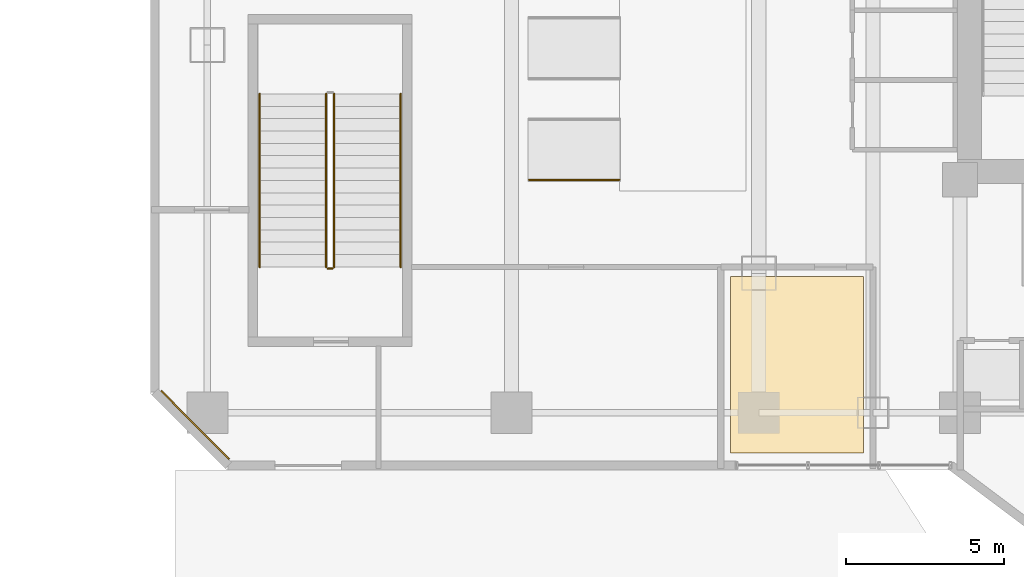
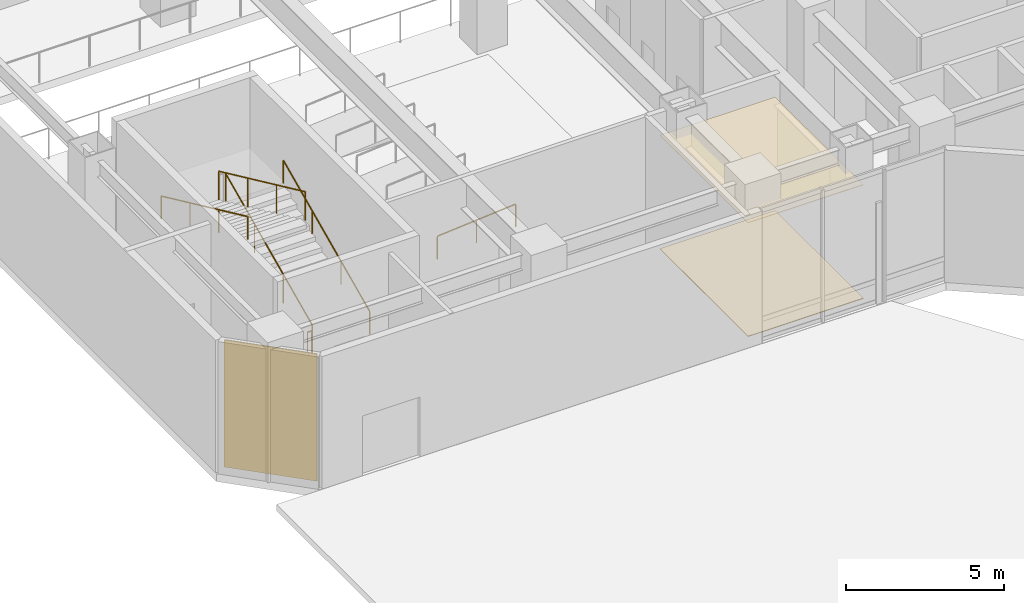
# One storey, part 8 of 13: 6 railings, 3 coverings.
"""IFC4 building model written with IfcOpenShell, lengths in metres."""

from ifc_helpers import new_model, si_unit, direction, frame, origin, origin_2d, place, context, subcontext, project, spatial, polyline, rectangle, circle, outline, extrude, material, layer, layer_set, type_object, element, save


model = new_model("IFC4")

# Units and contexts
model_context = context("Model", 3, precision=1e-05, world=origin(), true_north=direction((0.0, 1.0)))
body_context = subcontext(model_context, "Body", "Model", "MODEL_VIEW")
ifc_project = project(units=[si_unit("LENGTHUNIT", "METRE"), si_unit("AREAUNIT", "SQUARE_METRE"), si_unit("VOLUMEUNIT", "CUBIC_METRE"), si_unit("PLANEANGLEUNIT", "RADIAN"), si_unit("MASSUNIT", "GRAM", prefix="KILO")], contexts=[model_context])

# Site, building, storey
site_placement = place(None, origin())
site = spatial("IfcSite", under=ifc_project, at=site_placement, CompositionType="ELEMENT")
building_placement = place(site_placement, origin())
building = spatial("IfcBuilding", under=site, at=building_placement, Name="Hatsunagi Terrace Concourse", CompositionType="ELEMENT")
storey_placement = place(building_placement, origin())
storey = spatial("IfcBuildingStorey", under=building, at=storey_placement, Name="L01", CompositionType="ELEMENT", Elevation=0.0)

# Coverings
ifc_material_1 = material(Name="Acoustic mineral board", Category="gypsum")
ifc_layer_1 = layer(ifc_material_1, 0.02001953125)
ifc_layer_set_1 = layer_set([ifc_layer_1], Name="AcousticMineralCeiling_20")
covering_type_1 = type_object("IfcCoveringType", Name="AcousticMineralCeiling_20", PredefinedType="CEILING", material=ifc_layer_set_1)
covering_1_placement = place(storey_placement, frame((0.0, 0.0, 4.3798828125)))
element("IfcCovering", 1, at=covering_1_placement, inside=storey, type_object=covering_type_1, Name="Suspended Ceiling L01-1", PredefinedType="CEILING", context=body_context, shape_type="SweptSolid", body=[
    extrude(outline(polyline([(18.300048828125, 23.929931640625), (22.5, 23.929931640625), (22.5, 29.5), (18.300048828125, 29.5), (18.300048828125, 23.929931640625)])), origin(), (0.0, 0.0, 1.0), 0.02001953125),
])
ifc_material_2 = material(Name="Granite stone paving", Category="masonry")
ifc_layer_2 = layer(ifc_material_2, 0.02490234375)
ifc_layer_set_2 = layer_set([ifc_layer_2], Name="GraniteStoneFlooring_25")
covering_type_2 = type_object("IfcCoveringType", Name="GraniteStoneFlooring_25", PredefinedType="FLOORING", material=ifc_layer_set_2)
covering_2_placement = place(storey_placement, origin())
element("IfcCovering", 2, at=covering_2_placement, inside=storey, type_object=covering_type_2, Name="Finished Flooring L01-1", PredefinedType="FLOORING", context=body_context, shape_type="SweptSolid", body=[
    extrude(outline(polyline([(18.300048828125, 23.929931640625), (22.5, 23.929931640625), (22.5, 29.5), (18.300048828125, 29.5), (18.300048828125, 23.929931640625)])), origin(), (0.0, 0.0, 1.0), 0.02490234375),
])

# Railings
ifc_material_3 = material(Name="Brushed Stainless Steel Handrail", Category="steel")
ifc_layer_3 = layer(ifc_material_3, 0.050048828125)
ifc_layer_set_3 = layer_set([ifc_layer_3], Name="RampAccessibleHandrail_900")
railing_type_1 = type_object("IfcRailingType", Name="RampAccessibleHandrail_900", PredefinedType="HANDRAIL", material=ifc_layer_set_3)
railing_1_placement = place(storey_placement, frame((11.949951171875, 32.550048828125, 0.0)))
element("IfcRailing", 3, at=railing_1_placement, inside=storey, type_object=railing_type_1, Name="Concourse Accessible Ramp Handrail HR-02 #1", PredefinedType="HANDRAIL", context=body_context, shape_type="SweptSolid", body=[
    extrude(circle(Radius=0.02392578125, at=origin_2d()), frame((0.0, 0.0, 0.8759765625), z_axis=(0.996473566823, 0.0, 0.083907273958), x_axis=(0.0, 1.0, 0.0)), (0.0, 0.0, 1.0), 2.860107421875),
    extrude(circle(Radius=0.02099609375, at=origin_2d()), origin(), (0.0, 0.0, 1.0), 0.851806640625),
    extrude(circle(Radius=0.02099609375, at=origin_2d()), frame((1.425048828125, 0.0, 0.1201171875)), (0.0, 0.0, 1.0), 0.851806640625),
    extrude(circle(Radius=0.02099609375, at=origin_2d()), frame((2.85009765625, 0.0, 0.239990234375)), (0.0, 0.0, 1.0), 0.851806640625),
])
ifc_material_4 = material(Name="Stainless steel", Category="steel")
ifc_layer_4 = layer(ifc_material_4, 0.050048828125)
ifc_layer_set_4 = layer_set([ifc_layer_4], Name="StairPitchHandrail_Podium2200")
railing_type_2 = type_object("IfcRailingType", Name="StairPitchHandrail_Podium2200", PredefinedType="HANDRAIL", material=ifc_layer_set_4)
railing_2_placement = place(storey_placement, frame((7.89990234375, 29.800048828125, 0.179931640625)))
element("IfcRailing", 4, at=railing_2_placement, inside=storey, type_object=railing_type_2, Name="L01 ST-P1 stair handrail 1", PredefinedType="HANDRAIL", context=body_context, shape_type="SweptSolid", body=[
    extrude(circle(Radius=0.02392578125, at=origin_2d()), frame((0.0, 0.0, 0.8759765625), z_axis=(0.0, 0.907957007956, 0.419063326602), x_axis=(-1.0, 0.0, 0.0)), (0.0, 0.0, 1.0), 6.013427734375),
    extrude(circle(Radius=0.02099609375, at=origin_2d()), origin(), (0.0, 0.0, 1.0), 0.851806640625),
    extrude(circle(Radius=0.02099609375, at=origin_2d()), frame((0.0, 1.820068359375, 0.840087890625)), (0.0, 0.0, 1.0), 0.851806640625),
    extrude(circle(Radius=0.02099609375, at=origin_2d()), frame((0.0, 3.639892578125, 1.679931640625)), (0.0, 0.0, 1.0), 0.851806640625),
    extrude(circle(Radius=0.02099609375, at=origin_2d()), frame((0.0, 5.4599609375, 2.52001953125)), (0.0, 0.0, 1.0), 0.851806640625),
])
railing_3_placement = place(storey_placement, frame((3.449951171875, 35.260009765625, 2.8798828125)))
element("IfcRailing", 5, at=railing_3_placement, inside=storey, type_object=railing_type_2, Name="L01 ST-P1 stair handrail 2", PredefinedType="HANDRAIL", context=body_context, shape_type="SweptSolid", body=[
    extrude(circle(Radius=0.02392578125, at=origin_2d()), frame((0.0, 0.0, 0.8759765625), z_axis=(0.0, -0.907957007956, 0.419063326602), x_axis=(1.0, 0.0, 0.0)), (0.0, 0.0, 1.0), 6.013427734375),
    extrude(circle(Radius=0.02099609375, at=origin_2d()), origin(), (0.0, 0.0, 1.0), 0.851806640625),
    extrude(circle(Radius=0.02099609375, at=origin_2d()), frame((0.0, -1.820068359375, 0.840087890625)), (0.0, 0.0, 1.0), 0.851806640625),
    extrude(circle(Radius=0.02099609375, at=origin_2d()), frame((0.0, -3.639892578125, 1.679931640625)), (0.0, 0.0, 1.0), 0.851806640625),
    extrude(circle(Radius=0.02099609375, at=origin_2d()), frame((0.0, -5.4599609375, 2.52001953125)), (0.0, 0.0, 1.0), 0.851806640625),
])
ifc_material_5 = material(Name="Stainless steel", Category="steel")
ifc_layer_5 = layer(ifc_material_5, 0.06494140625)
ifc_layer_set_5 = layer_set([ifc_layer_5], Name="StairWellGuard_Podium2200")
railing_type_3 = type_object("IfcRailingType", Name="StairWellGuard_Podium2200", PredefinedType="BALUSTRADE", material=ifc_layer_set_5)
railing_4_placement = place(storey_placement, frame((5.800048828125, 29.800048828125, 0.179931640625)))
element("IfcRailing", 6, at=railing_4_placement, inside=storey, type_object=railing_type_3, Name="L01 ST-P1 stair guard 1", PredefinedType="BALUSTRADE", context=body_context, shape_type="SweptSolid", body=[
    extrude(circle(Radius=0.02392578125, at=origin_2d()), frame((0.0, 0.0, 1.09619140625), z_axis=(0.0, 0.907957007956, 0.419063326602), x_axis=(-1.0, 0.0, 0.0)), (0.0, 0.0, 1.0), 6.013427734375),
    extrude(circle(Radius=0.02099609375, at=origin_2d()), origin(), (0.0, 0.0, 1.0), 1.072021484375),
    extrude(circle(Radius=0.02099609375, at=origin_2d()), frame((0.0, 1.820068359375, 0.840087890625)), (0.0, 0.0, 1.0), 1.072021484375),
    extrude(circle(Radius=0.02099609375, at=origin_2d()), frame((0.0, 3.639892578125, 1.679931640625)), (0.0, 0.0, 1.0), 1.072021484375),
    extrude(circle(Radius=0.02099609375, at=origin_2d()), frame((0.0, 5.4599609375, 2.52001953125)), (0.0, 0.0, 1.0), 1.072021484375),
])
railing_5_placement = place(storey_placement, frame((5.550048828125, 35.260009765625, 2.8798828125)))
element("IfcRailing", 7, at=railing_5_placement, inside=storey, type_object=railing_type_3, Name="L01 ST-P1 stair guard 3", PredefinedType="BALUSTRADE", context=body_context, shape_type="SweptSolid", body=[
    extrude(circle(Radius=0.02392578125, at=origin_2d()), frame((0.0, 0.0, 1.09619140625), z_axis=(0.0, -0.907957007956, 0.419063326602), x_axis=(1.0, 0.0, 0.0)), (0.0, 0.0, 1.0), 6.013427734375),
    extrude(circle(Radius=0.02099609375, at=origin_2d()), origin(), (0.0, 0.0, 1.0), 1.072021484375),
    extrude(circle(Radius=0.02099609375, at=origin_2d()), frame((0.0, -1.820068359375, 0.840087890625)), (0.0, 0.0, 1.0), 1.072021484375),
    extrude(circle(Radius=0.02099609375, at=origin_2d()), frame((0.0, -3.639892578125, 1.679931640625)), (0.0, 0.0, 1.0), 1.072021484375),
    extrude(circle(Radius=0.02099609375, at=origin_2d()), frame((0.0, -5.4599609375, 2.52001953125)), (0.0, 0.0, 1.0), 1.072021484375),
])
railing_6_placement = place(storey_placement, frame((5.75, 29.75, 0.0)))
element("IfcRailing", 8, at=railing_6_placement, inside=storey, type_object=railing_type_3, Name="L01 ST-P1 stair guard 4", PredefinedType="BALUSTRADE", context=body_context, shape_type="SweptSolid", body=[
    extrude(circle(Radius=0.02392578125, at=origin_2d()), frame((0.0, 0.0, 1.09619140625), z_axis=(-1.0, 0.0, 0.0), x_axis=(0.0, -1.0, 0.0)), (0.0, 0.0, 1.0), 0.14990234375),
    extrude(circle(Radius=0.02099609375, at=origin_2d()), origin(), (0.0, 0.0, 1.0), 1.072021484375),
    extrude(circle(Radius=0.02099609375, at=origin_2d()), frame((-0.14990234375, 0.0, 0.0)), (0.0, 0.0, 1.0), 1.072021484375),
])

# Covering
ifc_material_6 = material(Name="Unglazed Warm Terracotta Rainscreen Tile", Category="masonry")
ifc_layer_6 = layer(ifc_material_6, 0.044921875)
ifc_layer_set_6 = layer_set([ifc_layer_6], Name="TerracottaRainscreenCladding_45")
covering_type_3 = type_object("IfcCoveringType", Name="TerracottaRainscreenCladding_45", PredefinedType="CLADDING", material=ifc_layer_set_6)
covering_3_placement = place(storey_placement, frame((1.4140625, 24.81396484375, 0.10009765625), z_axis=(0.0, 0.0, 1.0), x_axis=(-0.707106781187, 0.707106781187, 0.0)))
element("IfcCovering", 9, at=covering_3_placement, inside=storey, type_object=covering_type_3, Name="Terracotta Rainscreen Cladding L01-08", PredefinedType="CLADDING", context=body_context, shape_type="SweptSolid", body=[
    extrude(rectangle(XDim=3.0380859375, YDim=0.044921875, at=origin_2d()), origin(), (0.0, 0.0, 1.0), 4.89990234375),
])

save(model, "model.ifc")
